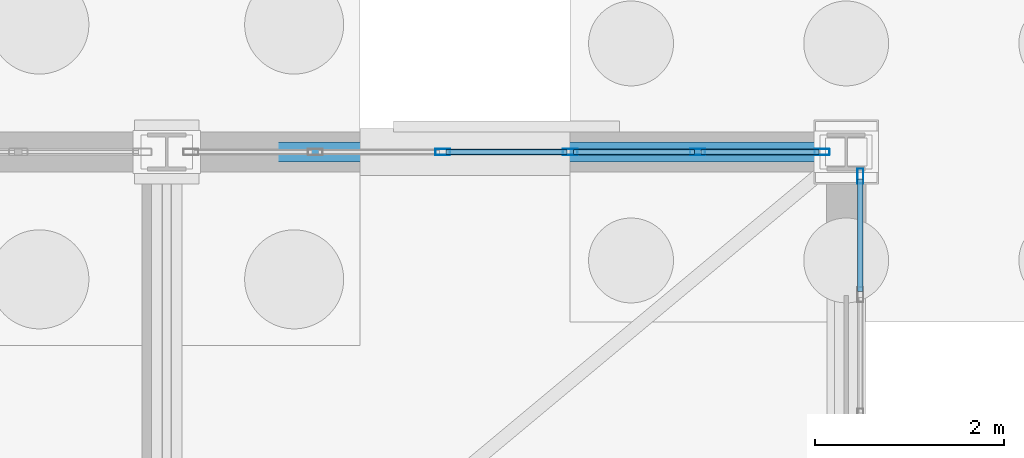
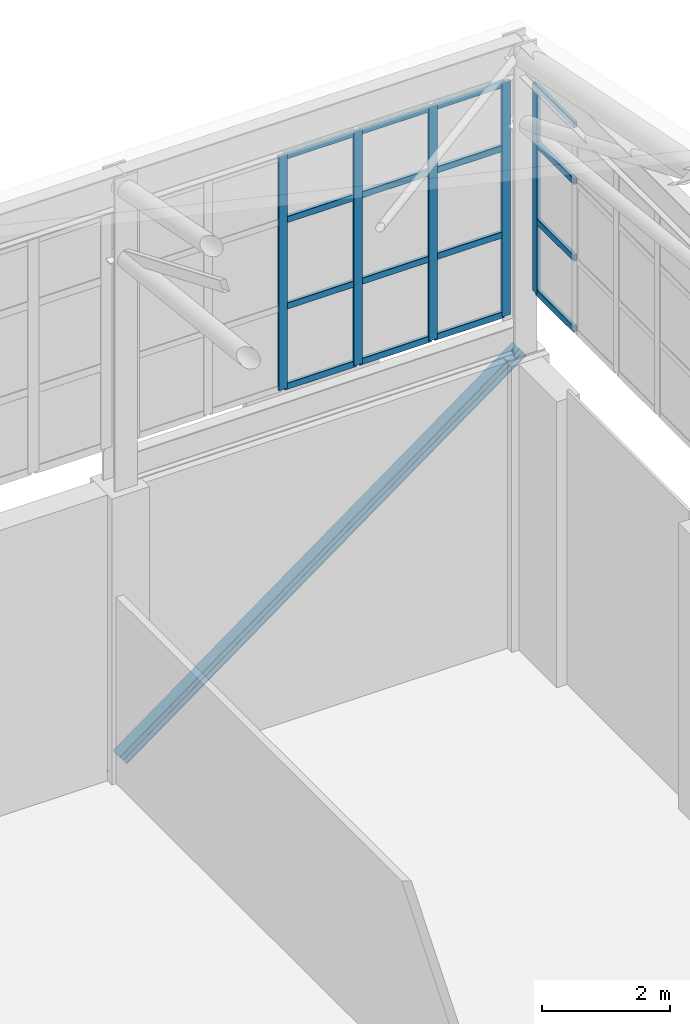
# One storey, part 231 of 293: 22 members, 2 elements without a shape of their own.
"""IFC4 building model written with IfcOpenShell, lengths in metres."""

from ifc_helpers import new_model, si_unit, direction, frame, origin, origin_2d, place, context, subcontext, project, spatial, hollow_rectangle, i_section, extrude, material, layer, layer_set, material_profile, profile_set, type_object, element, aggregate, save


model = new_model("IFC4")

# Units and contexts
model_context = context("Model", 3, precision=1e-05, world=origin(), true_north=direction((0.0, 1.0)))
body_context = subcontext(model_context, "Body", "Model", "MODEL_VIEW")
ifc_project = project(units=[si_unit("LENGTHUNIT", "METRE"), si_unit("AREAUNIT", "SQUARE_METRE"), si_unit("VOLUMEUNIT", "CUBIC_METRE"), si_unit("PLANEANGLEUNIT", "RADIAN"), si_unit("MASSUNIT", "GRAM", prefix="KILO")], contexts=[model_context])

# Site, building, storey
site_placement = place(None, origin())
site = spatial("IfcSite", under=ifc_project, at=site_placement, CompositionType="ELEMENT")
building_placement = place(site_placement, origin())
building = spatial("IfcBuilding", under=site, at=building_placement, Name="Kemerveld Promenade Tramway Depot", CompositionType="ELEMENT")
storey_placement = place(building_placement, origin())
storey = spatial("IfcBuildingStorey", under=building, at=storey_placement, Name="L00", CompositionType="ELEMENT", Elevation=0.0)

# Curtain wall, members
ifc_material_1 = material(Name="Bronze anodised aluminium and solar glass", Category="aluminium")
ifc_layer_1 = layer(ifc_material_1, 0.159912109375)
ifc_layer_set_1 = layer_set([ifc_layer_1], Name="CW-SYS-07")
curtain_wall_type_1 = type_object("IfcCurtainWallType", Name="CW-SYS-07", PredefinedType="USERDEFINED", material=ifc_layer_set_1)
curtain_wall_1_placement = place(storey_placement, origin())
curtain_wall_1 = element("IfcCurtainWall", 1, at=curtain_wall_1_placement, inside=storey, type_object=curtain_wall_type_1, Name="CW-V1-N-21", ObjectType="GLAZED_CURTAIN_WALL", PredefinedType="USERDEFINED")
ifc_material_2 = material(Name="Bronze anodised aluminium", Category="aluminium")
ifc_material_profile_1 = material_profile(ifc_material_2, hollow_rectangle(XDim=0.06494140625, YDim=0.159912109375, WallThickness=0.00390625, InnerFilletRadius=0.001953125, OuterFilletRadius=0.00390625, at=origin_2d()), Name="CW-MUL-160x65")
ifc_profile_set_1 = profile_set([ifc_material_profile_1], Name="Bronze anodised aluminium")
member_type_1 = type_object("IfcMemberType", Name="CW-MUL-A", PredefinedType="MULLION", material=ifc_profile_set_1)
member_1_placement = place(storey_placement, frame((182.924560546875, 144.0, 6.199951171875), z_axis=(0.0, 0.0, 1.0), x_axis=(0.0, 1.0, 0.0)))
member_1 = element("IfcMember", 2, at=member_1_placement, type_object=member_type_1, Name="CW07 mullion 3", PredefinedType="MULLION", context=body_context, shape_type="SweptSolid", body=[
    extrude(hollow_rectangle(XDim=0.06494140625, YDim=0.159912109375, WallThickness=0.00390625, InnerFilletRadius=0.001953125, OuterFilletRadius=0.00390625, at=origin_2d()), origin(), (0.0, 0.0, 1.0), 4.449951171875),
])
member_2_placement = place(storey_placement, frame((184.275390625, 144.0, 6.199951171875), z_axis=(0.0, 0.0, 1.0), x_axis=(0.0, 1.0, 0.0)))
member_2 = element("IfcMember", 3, at=member_2_placement, type_object=member_type_1, Name="CW07 mullion 4", PredefinedType="MULLION", context=body_context, shape_type="SweptSolid", body=[
    extrude(hollow_rectangle(XDim=0.06494140625, YDim=0.159912109375, WallThickness=0.00390625, InnerFilletRadius=0.001953125, OuterFilletRadius=0.00390625, at=origin_2d()), origin(), (0.0, 0.0, 1.0), 4.449951171875),
])
member_3_placement = place(storey_placement, frame((185.6259765625, 144.0, 6.199951171875), z_axis=(0.0, 0.0, 1.0), x_axis=(0.0, 1.0, 0.0)))
member_3 = element("IfcMember", 4, at=member_3_placement, type_object=member_type_1, Name="CW07 mullion 5", PredefinedType="MULLION", context=body_context, shape_type="SweptSolid", body=[
    extrude(hollow_rectangle(XDim=0.06494140625, YDim=0.159912109375, WallThickness=0.00390625, InnerFilletRadius=0.001953125, OuterFilletRadius=0.00390625, at=origin_2d()), origin(), (0.0, 0.0, 1.0), 4.449951171875),
])
member_4_placement = place(storey_placement, frame((186.9443359375, 144.0, 6.199951171875), z_axis=(0.0, 0.0, 1.0), x_axis=(0.0, 1.0, 0.0)))
member_4 = element("IfcMember", 5, at=member_4_placement, type_object=member_type_1, Name="CW07 mullion 6", PredefinedType="MULLION", context=body_context, shape_type="SweptSolid", body=[
    extrude(hollow_rectangle(XDim=0.06494140625, YDim=0.159912109375, WallThickness=0.00390625, InnerFilletRadius=0.001953125, OuterFilletRadius=0.00390625, at=origin_2d()), origin(), (0.0, 0.0, 1.0), 4.449951171875),
])

# Curtain wall, member
ifc_layer_2 = layer(ifc_material_1, 0.159912109375)
ifc_layer_set_2 = layer_set([ifc_layer_2], Name="CW-SYS-01")
curtain_wall_type_2 = type_object("IfcCurtainWallType", Name="CW-SYS-01", PredefinedType="USERDEFINED", material=ifc_layer_set_2)
curtain_wall_2_placement = place(storey_placement, origin())
curtain_wall_2 = element("IfcCurtainWall", 6, at=curtain_wall_2_placement, inside=storey, type_object=curtain_wall_type_2, Name="CW-V1-E-05", ObjectType="GLAZED_CURTAIN_WALL", PredefinedType="USERDEFINED")
member_5_placement = place(storey_placement, frame((187.35009765625, 143.744384765625, 6.64990234375), z_axis=(0.0, 0.0, 1.0), x_axis=(1.0, 0.0, 0.0)))
member_5 = element("IfcMember", 7, at=member_5_placement, type_object=member_type_1, Name="CW01 mullion 1", PredefinedType="MULLION", context=body_context, shape_type="SweptSolid", body=[
    extrude(hollow_rectangle(XDim=0.06494140625, YDim=0.159912109375, WallThickness=0.00390625, InnerFilletRadius=0.001953125, OuterFilletRadius=0.00390625, at=origin_2d()), origin(), (0.0, 0.0, 1.0), 3.9501953125),
])

# Member
ifc_material_profile_2 = material_profile(ifc_material_2, hollow_rectangle(XDim=0.06005859375, YDim=0.1201171875, WallThickness=0.00390625, InnerFilletRadius=0.001953125, OuterFilletRadius=0.00390625, at=origin_2d()), Name="CW-TRN-120x60")
ifc_profile_set_2 = profile_set([ifc_material_profile_2], Name="Bronze anodised aluminium")
member_type_2 = type_object("IfcMemberType", Name="CW-TRN-A", PredefinedType="USERDEFINED", material=ifc_profile_set_2)
member_6_placement = place(storey_placement, frame((182.95703125, 144.0, 6.22998046875), z_axis=(1.0, 0.0, 0.0), x_axis=(0.0, 1.0, 0.0)))
member_6 = element("IfcMember", 8, at=member_6_placement, type_object=member_type_2, Name="CW07 transom 3.1", ObjectType="TRANSOM", PredefinedType="USERDEFINED", context=body_context, shape_type="SweptSolid", body=[
    extrude(hollow_rectangle(XDim=0.06005859375, YDim=0.1201171875, WallThickness=0.00390625, InnerFilletRadius=0.001953125, OuterFilletRadius=0.00390625, at=origin_2d()), origin(), (0.0, 0.0, 1.0), 1.285888671875),
])

member_7_placement = place(storey_placement, frame((182.95703125, 144.0, 7.758056640625), z_axis=(1.0, 0.0, 0.0), x_axis=(0.0, 1.0, 0.0)))
member_7 = element("IfcMember", 9, at=member_7_placement, type_object=member_type_2, Name="CW07 transom 3.2", ObjectType="TRANSOM", PredefinedType="USERDEFINED", context=body_context, shape_type="SweptSolid", body=[
    extrude(hollow_rectangle(XDim=0.06005859375, YDim=0.1201171875, WallThickness=0.00390625, InnerFilletRadius=0.001953125, OuterFilletRadius=0.00390625, at=origin_2d()), origin(), (0.0, 0.0, 1.0), 1.285888671875),
])

member_8_placement = place(storey_placement, frame((182.95703125, 144.0, 9.404052734375), z_axis=(1.0, 0.0, 0.0), x_axis=(0.0, 1.0, 0.0)))
member_8 = element("IfcMember", 10, at=member_8_placement, type_object=member_type_2, Name="CW07 transom 3.3", ObjectType="TRANSOM", PredefinedType="USERDEFINED", context=body_context, shape_type="SweptSolid", body=[
    extrude(hollow_rectangle(XDim=0.06005859375, YDim=0.1201171875, WallThickness=0.00390625, InnerFilletRadius=0.001953125, OuterFilletRadius=0.00390625, at=origin_2d()), origin(), (0.0, 0.0, 1.0), 1.285888671875),
])

member_9_placement = place(storey_placement, frame((182.95703125, 144.0, 10.6201171875), z_axis=(1.0, 0.0, 0.0), x_axis=(0.0, 1.0, 0.0)))
member_9 = element("IfcMember", 11, at=member_9_placement, type_object=member_type_2, Name="CW07 transom 3.4", ObjectType="TRANSOM", PredefinedType="USERDEFINED", context=body_context, shape_type="SweptSolid", body=[
    extrude(hollow_rectangle(XDim=0.06005859375, YDim=0.1201171875, WallThickness=0.00390625, InnerFilletRadius=0.001953125, OuterFilletRadius=0.00390625, at=origin_2d()), origin(), (0.0, 0.0, 1.0), 1.285888671875),
])

member_10_placement = place(storey_placement, frame((184.307861328125, 144.0, 6.22998046875), z_axis=(1.0, 0.0, 0.0), x_axis=(0.0, 1.0, 0.0)))
member_10 = element("IfcMember", 12, at=member_10_placement, type_object=member_type_2, Name="CW07 transom 4.1", ObjectType="TRANSOM", PredefinedType="USERDEFINED", context=body_context, shape_type="SweptSolid", body=[
    extrude(hollow_rectangle(XDim=0.06005859375, YDim=0.1201171875, WallThickness=0.00390625, InnerFilletRadius=0.001953125, OuterFilletRadius=0.00390625, at=origin_2d()), origin(), (0.0, 0.0, 1.0), 1.28564453125),
])

member_11_placement = place(storey_placement, frame((184.307861328125, 144.0, 7.758056640625), z_axis=(1.0, 0.0, 0.0), x_axis=(0.0, 1.0, 0.0)))
member_11 = element("IfcMember", 13, at=member_11_placement, type_object=member_type_2, Name="CW07 transom 4.2", ObjectType="TRANSOM", PredefinedType="USERDEFINED", context=body_context, shape_type="SweptSolid", body=[
    extrude(hollow_rectangle(XDim=0.06005859375, YDim=0.1201171875, WallThickness=0.00390625, InnerFilletRadius=0.001953125, OuterFilletRadius=0.00390625, at=origin_2d()), origin(), (0.0, 0.0, 1.0), 1.28564453125),
])

member_12_placement = place(storey_placement, frame((184.307861328125, 144.0, 9.404052734375), z_axis=(1.0, 0.0, 0.0), x_axis=(0.0, 1.0, 0.0)))
member_12 = element("IfcMember", 14, at=member_12_placement, type_object=member_type_2, Name="CW07 transom 4.3", ObjectType="TRANSOM", PredefinedType="USERDEFINED", context=body_context, shape_type="SweptSolid", body=[
    extrude(hollow_rectangle(XDim=0.06005859375, YDim=0.1201171875, WallThickness=0.00390625, InnerFilletRadius=0.001953125, OuterFilletRadius=0.00390625, at=origin_2d()), origin(), (0.0, 0.0, 1.0), 1.28564453125),
])

member_13_placement = place(storey_placement, frame((184.307861328125, 144.0, 10.6201171875), z_axis=(1.0, 0.0, 0.0), x_axis=(0.0, 1.0, 0.0)))
member_13 = element("IfcMember", 15, at=member_13_placement, type_object=member_type_2, Name="CW07 transom 4.4", ObjectType="TRANSOM", PredefinedType="USERDEFINED", context=body_context, shape_type="SweptSolid", body=[
    extrude(hollow_rectangle(XDim=0.06005859375, YDim=0.1201171875, WallThickness=0.00390625, InnerFilletRadius=0.001953125, OuterFilletRadius=0.00390625, at=origin_2d()), origin(), (0.0, 0.0, 1.0), 1.28564453125),
])

member_14_placement = place(storey_placement, frame((185.65869140625, 144.0, 6.22998046875), z_axis=(1.0, 0.0, 0.0), x_axis=(0.0, 1.0, 0.0)))
member_14 = element("IfcMember", 16, at=member_14_placement, type_object=member_type_2, Name="CW07 transom 5.1", ObjectType="TRANSOM", PredefinedType="USERDEFINED", context=body_context, shape_type="SweptSolid", body=[
    extrude(hollow_rectangle(XDim=0.06005859375, YDim=0.1201171875, WallThickness=0.00390625, InnerFilletRadius=0.001953125, OuterFilletRadius=0.00390625, at=origin_2d()), origin(), (0.0, 0.0, 1.0), 1.253173828125),
])

member_15_placement = place(storey_placement, frame((185.65869140625, 144.0, 7.758056640625), z_axis=(1.0, 0.0, 0.0), x_axis=(0.0, 1.0, 0.0)))
member_15 = element("IfcMember", 17, at=member_15_placement, type_object=member_type_2, Name="CW07 transom 5.2", ObjectType="TRANSOM", PredefinedType="USERDEFINED", context=body_context, shape_type="SweptSolid", body=[
    extrude(hollow_rectangle(XDim=0.06005859375, YDim=0.1201171875, WallThickness=0.00390625, InnerFilletRadius=0.001953125, OuterFilletRadius=0.00390625, at=origin_2d()), origin(), (0.0, 0.0, 1.0), 1.253173828125),
])

member_16_placement = place(storey_placement, frame((185.65869140625, 144.0, 9.404052734375), z_axis=(1.0, 0.0, 0.0), x_axis=(0.0, 1.0, 0.0)))
member_16 = element("IfcMember", 18, at=member_16_placement, type_object=member_type_2, Name="CW07 transom 5.3", ObjectType="TRANSOM", PredefinedType="USERDEFINED", context=body_context, shape_type="SweptSolid", body=[
    extrude(hollow_rectangle(XDim=0.06005859375, YDim=0.1201171875, WallThickness=0.00390625, InnerFilletRadius=0.001953125, OuterFilletRadius=0.00390625, at=origin_2d()), origin(), (0.0, 0.0, 1.0), 1.253173828125),
])

member_17_placement = place(storey_placement, frame((185.65869140625, 144.0, 10.6201171875), z_axis=(1.0, 0.0, 0.0), x_axis=(0.0, 1.0, 0.0)))
member_17 = element("IfcMember", 19, at=member_17_placement, type_object=member_type_2, Name="CW07 transom 5.4", ObjectType="TRANSOM", PredefinedType="USERDEFINED", context=body_context, shape_type="SweptSolid", body=[
    extrude(hollow_rectangle(XDim=0.06005859375, YDim=0.1201171875, WallThickness=0.00390625, InnerFilletRadius=0.001953125, OuterFilletRadius=0.00390625, at=origin_2d()), origin(), (0.0, 0.0, 1.0), 1.253173828125),
])

aggregate(curtain_wall_1, [member_1, member_2, member_3, member_4, member_6, member_7, member_8, member_9, member_10, member_11, member_12, member_13, member_14, member_15, member_16, member_17])

member_18_placement = place(storey_placement, frame((187.35009765625, 143.7119140625, 6.679931640625), z_axis=(0.0, -1.0, 0.0), x_axis=(1.0, 0.0, 0.0)))
member_18 = element("IfcMember", 20, at=member_18_placement, type_object=member_type_2, Name="CW01 transom 1.1", ObjectType="TRANSOM", PredefinedType="USERDEFINED", context=body_context, shape_type="SweptSolid", body=[
    extrude(hollow_rectangle(XDim=0.06005859375, YDim=0.1201171875, WallThickness=0.00390625, InnerFilletRadius=0.001953125, OuterFilletRadius=0.00390625, at=origin_2d()), origin(), (0.0, 0.0, 1.0), 1.190673828125),
])

member_19_placement = place(storey_placement, frame((187.35009765625, 143.7119140625, 8.032958984375), z_axis=(0.0, -1.0, 0.0), x_axis=(1.0, 0.0, 0.0)))
member_19 = element("IfcMember", 21, at=member_19_placement, type_object=member_type_2, Name="CW01 transom 1.2", ObjectType="TRANSOM", PredefinedType="USERDEFINED", context=body_context, shape_type="SweptSolid", body=[
    extrude(hollow_rectangle(XDim=0.06005859375, YDim=0.1201171875, WallThickness=0.00390625, InnerFilletRadius=0.001953125, OuterFilletRadius=0.00390625, at=origin_2d()), origin(), (0.0, 0.0, 1.0), 1.190673828125),
])

member_20_placement = place(storey_placement, frame((187.35009765625, 143.7119140625, 9.493896484375), z_axis=(0.0, -1.0, 0.0), x_axis=(1.0, 0.0, 0.0)))
member_20 = element("IfcMember", 22, at=member_20_placement, type_object=member_type_2, Name="CW01 transom 1.3", ObjectType="TRANSOM", PredefinedType="USERDEFINED", context=body_context, shape_type="SweptSolid", body=[
    extrude(hollow_rectangle(XDim=0.06005859375, YDim=0.1201171875, WallThickness=0.00390625, InnerFilletRadius=0.001953125, OuterFilletRadius=0.00390625, at=origin_2d()), origin(), (0.0, 0.0, 1.0), 1.190673828125),
])

member_21_placement = place(storey_placement, frame((187.35009765625, 143.7119140625, 10.570068359375), z_axis=(0.0, -1.0, 0.0), x_axis=(1.0, 0.0, 0.0)))
member_21 = element("IfcMember", 23, at=member_21_placement, type_object=member_type_2, Name="CW01 transom 1.4", ObjectType="TRANSOM", PredefinedType="USERDEFINED", context=body_context, shape_type="SweptSolid", body=[
    extrude(hollow_rectangle(XDim=0.06005859375, YDim=0.1201171875, WallThickness=0.00390625, InnerFilletRadius=0.001953125, OuterFilletRadius=0.00390625, at=origin_2d()), origin(), (0.0, 0.0, 1.0), 1.190673828125),
])

aggregate(curtain_wall_2, [member_5, member_18, member_19, member_20, member_21])

ifc_material_3 = material(Name="Steel S355", Category="steel")
ifc_material_profile_3 = material_profile(ifc_material_3, i_section(OverallWidth=0.208984375, OverallDepth=0.22216796875, WebThickness=0.0126953125, FlangeThickness=0.0205078125, FilletRadius=0.01025390625, at=origin_2d()), Name="203x203x86 UC")
ifc_profile_set_3 = profile_set([ifc_material_profile_3], Name="Steel S355")
member_type_3 = type_object("IfcMemberType", Name="MB-TB5", PredefinedType="BRACE", material=ifc_profile_set_3)
member_22_placement = place(storey_placement, frame((180.0, 144.0, 0.199951171875), z_axis=(0.807288292304, 0.0, 0.590157278281), x_axis=(0.0, 1.0, 0.0)))
element("IfcMember", 24, at=member_22_placement, inside=storey, type_object=member_type_3, Name="BR-SHED-WALL-U-26-A", PredefinedType="BRACE", context=body_context, shape_type="SweptSolid", body=[
    extrude(i_section(OverallWidth=0.208984375, OverallDepth=0.22216796875, WebThickness=0.0126953125, FlangeThickness=0.0205078125, FilletRadius=0.01025390625, at=origin_2d()), origin(), (0.0, 0.0, 1.0), 8.918701171875),
])

save(model, "model.ifc")
